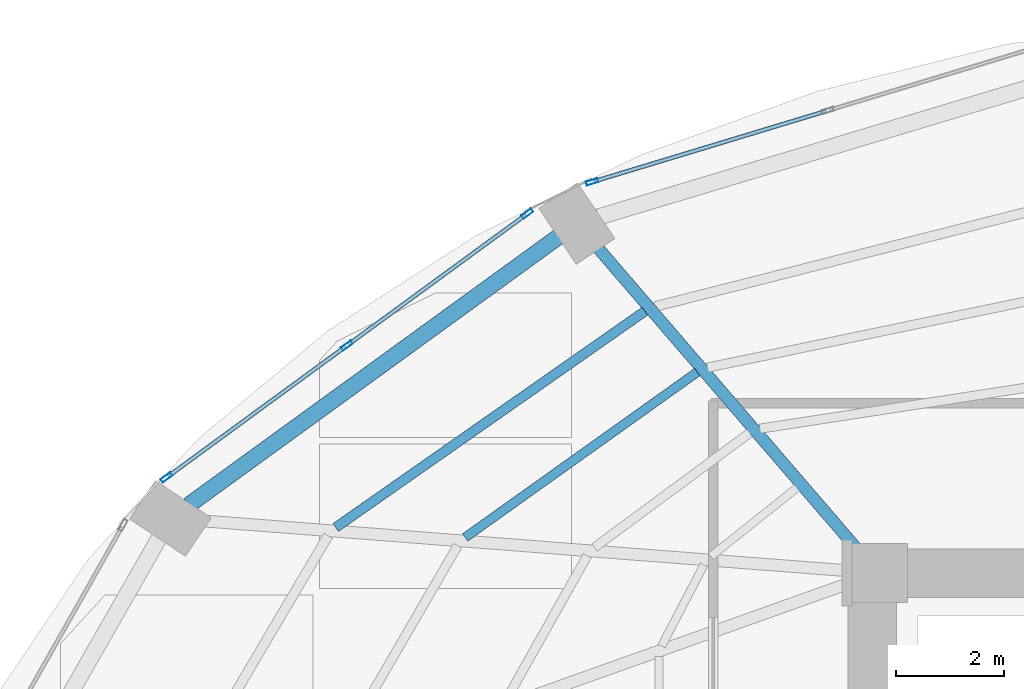
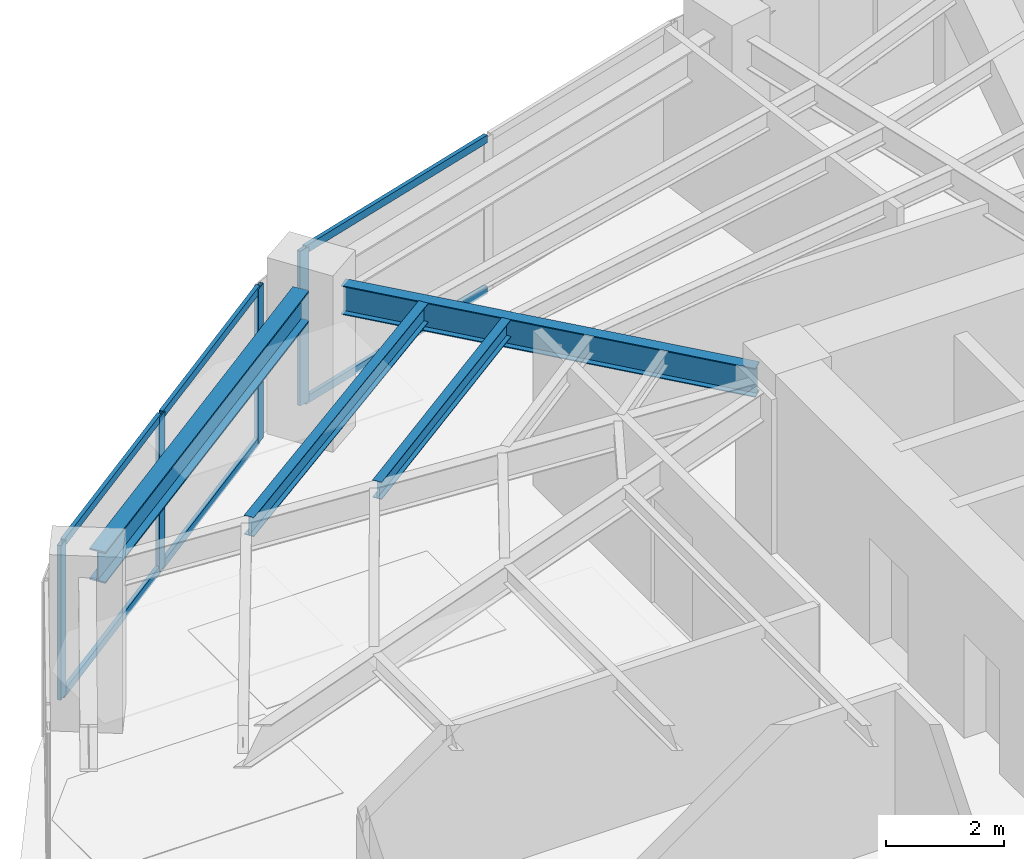
# One storey, part 13 of 24: 10 members, 4 beams, 2 elements without a shape of their own.
"""IFC4 building model written with IfcOpenShell, lengths in metres."""

from ifc_helpers import new_model, si_unit, direction, frame, origin, origin_2d, place, context, subcontext, project, spatial, hollow_rectangle, i_section, extrude, material, layer, layer_set, material_profile, profile_set, type_object, element, aggregate, save


model = new_model("IFC4")

# Units and contexts
model_context = context("Model", 3, precision=1e-05, world=origin(), true_north=direction((0.0, 1.0)))
body_context = subcontext(model_context, "Body", "Model", "MODEL_VIEW")
ifc_project = project(units=[si_unit("LENGTHUNIT", "METRE"), si_unit("AREAUNIT", "SQUARE_METRE"), si_unit("VOLUMEUNIT", "CUBIC_METRE"), si_unit("PLANEANGLEUNIT", "RADIAN"), si_unit("MASSUNIT", "GRAM", prefix="KILO")], contexts=[model_context])

# Site, building, storey
site_placement = place(None, origin())
site = spatial("IfcSite", under=ifc_project, at=site_placement, CompositionType="ELEMENT")
building_placement = place(site_placement, origin())
building = spatial("IfcBuilding", under=site, at=building_placement, Name="Lazwardi Medical Tower", CompositionType="ELEMENT")
storey_placement = place(building_placement, frame((0.0, 0.0, 72.6240234375)))
storey = spatial("IfcBuildingStorey", under=building, at=storey_placement, Name="L18", CompositionType="ELEMENT", Elevation=72.6240234375)

# Beams
ifc_material_1 = material(Name="Steel S355", Category="steel")
ifc_material_profile_1 = material_profile(ifc_material_1, i_section(OverallWidth=0.300048828125, OverallDepth=0.64990234375, WebThickness=0.01611328125, FlangeThickness=0.031005859375, at=origin_2d()), Name="HEB 650")
ifc_profile_set_1 = profile_set([ifc_material_profile_1], Name="Steel S355")
beam_type_1 = type_object("IfcBeamType", Name="BM-RB-Z1", PredefinedType="BEAM", material=ifc_profile_set_1)
beam_1_placement = place(storey_placement, frame((20.47900390625, 41.83740234375, 2.873046875), z_axis=(-0.80939338516, -0.5872668457, 0.0), x_axis=(0.5872668457, -0.80939338516, 0.0)))
element("IfcBeam", 1, at=beam_1_placement, inside=storey, type_object=beam_type_1, Name="Ring beam RB-02 B10 L18", PredefinedType="BEAM", context=body_context, shape_type="SweptSolid", body=[
    extrude(i_section(OverallWidth=0.300048828125, OverallDepth=0.64990234375, WebThickness=0.01611328125, FlangeThickness=0.031005859375, at=origin_2d()), origin(), (0.0, 0.0, 1.0), 8.47412109375),
])
ifc_material_profile_2 = material_profile(ifc_material_1, i_section(OverallWidth=0.219970703125, OverallDepth=0.60009765625, WebThickness=0.011962890625, FlangeThickness=0.01904296875, at=origin_2d()), Name="IPE 600")
ifc_profile_set_2 = profile_set([ifc_material_profile_2], Name="Steel S355")
beam_type_2 = type_object("IfcBeamType", Name="BM-RG-W1", PredefinedType="BEAM", material=ifc_profile_set_2)
beam_2_placement = place(storey_placement, frame((21.197509765625, 41.644287109375, 2.89794921875), z_axis=(0.652368190463, -0.757902199543, 0.0), x_axis=(0.757902199543, 0.652368190463, 0.0)))
element("IfcBeam", 2, at=beam_2_placement, inside=storey, type_object=beam_type_2, Name="Radial girder RG-02 R10 L18", PredefinedType="BEAM", context=body_context, shape_type="SweptSolid", body=[
    extrude(i_section(OverallWidth=0.219970703125, OverallDepth=0.60009765625, WebThickness=0.011962890625, FlangeThickness=0.01904296875, at=origin_2d()), origin(), (0.0, 0.0, 1.0), 7.43994140625),
])
ifc_material_profile_3 = material_profile(ifc_material_1, i_section(OverallWidth=0.179931640625, OverallDepth=0.39990234375, WebThickness=0.008544921875, FlangeThickness=0.013427734375, at=origin_2d()), Name="IPE 400")
ifc_profile_set_3 = profile_set([ifc_material_profile_3], Name="Steel S355")
beam_type_3 = type_object("IfcBeamType", Name="BM-SJ-01", PredefinedType="JOIST", material=ifc_profile_set_3)
beam_3_placement = place(storey_placement, frame((22.08203125, 40.456298828125, 2.998046875), z_axis=(-0.81942522483, -0.573186096231, 0.0), x_axis=(0.573186096231, -0.81942522483, 0.0)))
element("IfcBeam", 3, at=beam_3_placement, inside=storey, type_object=beam_type_3, Name="Secondary joist SJ-01 R1 B10 L18", PredefinedType="JOIST", context=body_context, shape_type="SweptSolid", body=[
    extrude(i_section(OverallWidth=0.179931640625, OverallDepth=0.39990234375, WebThickness=0.008544921875, FlangeThickness=0.013427734375, at=origin_2d()), origin(), (0.0, 0.0, 1.0), 6.999755859375),
])
ifc_material_profile_4 = material_profile(ifc_material_1, i_section(OverallWidth=0.169921875, OverallDepth=0.360107421875, WebThickness=0.008056640625, FlangeThickness=0.0126953125, at=origin_2d()), Name="IPE 360")
ifc_profile_set_4 = profile_set([ifc_material_profile_4], Name="Steel S355")
beam_type_4 = type_object("IfcBeamType", Name="BM-SJ-02", PredefinedType="JOIST", material=ifc_profile_set_4)
beam_4_placement = place(storey_placement, frame((23.05322265625, 39.327880859375, 3.01806640625), z_axis=(-0.814341377136, -0.580386183058, 0.0), x_axis=(0.580386183058, -0.814341377136, 0.0)))
element("IfcBeam", 4, at=beam_4_placement, inside=storey, type_object=beam_type_4, Name="Secondary joist SJ-02 R2 B10 L18", PredefinedType="JOIST", context=body_context, shape_type="SweptSolid", body=[
    extrude(i_section(OverallWidth=0.169921875, OverallDepth=0.360107421875, WebThickness=0.008056640625, FlangeThickness=0.0126953125, at=origin_2d()), origin(), (0.0, 0.0, 1.0), 5.28759765625),
])

# Curtain wall, member
ifc_material_2 = material(Name="Anodised bronze aluminium and solar control glazing", Category="aluminium")
ifc_layer = layer(ifc_material_2, 0.199951171875)
ifc_layer_set = layer_set([ifc_layer], Name="Anodised bronze aluminium and solar control glazing")
curtain_wall_type = type_object("IfcCurtainWallType", Name="CW-SYS-02", PredefinedType="NOTDEFINED", material=ifc_layer_set)
curtain_wall_1_placement = place(storey_placement, origin())
curtain_wall_1 = element("IfcCurtainWall", 5, at=curtain_wall_1_placement, inside=storey, type_object=curtain_wall_type, Name="L18 Unitised bronze curtain wall CW-02", PredefinedType="NOTDEFINED")
ifc_material_3 = material(Name="Anodised bronze aluminium", Category="aluminium")
ifc_material_profile_5 = material_profile(ifc_material_3, hollow_rectangle(XDim=0.074951171875, YDim=0.219970703125, WallThickness=0.00390625, at=origin_2d()), Name="ALU-MULLION 220x75x4")
ifc_profile_set_5 = profile_set([ifc_material_profile_5], Name="Anodised bronze aluminium")
member_type_1 = type_object("IfcMemberType", Name="CW-MUL-01", PredefinedType="MULLION", material=ifc_profile_set_5)
member_1_placement = place(storey_placement, frame((21.1015625, 42.853271484375, 0.0), z_axis=(0.0, 0.0, 1.0), x_axis=(0.2898956909, -0.957058247129, 0.0)))
member_1 = element("IfcMember", 6, at=member_1_placement, type_object=member_type_1, Name="CW-02 mullion 3", PredefinedType="MULLION", context=body_context, shape_type="SweptSolid", body=[
    extrude(hollow_rectangle(XDim=0.074951171875, YDim=0.219970703125, WallThickness=0.00390625, at=origin_2d()), origin(), (0.0, 0.0, 1.0), 3.197998046875),
])

# Curtain wall, members
curtain_wall_2_placement = place(storey_placement, origin())
curtain_wall_2 = element("IfcCurtainWall", 7, at=curtain_wall_2_placement, inside=storey, type_object=curtain_wall_type, Name="L18 Unitised bronze curtain wall CW-02", PredefinedType="NOTDEFINED")
member_2_placement = place(storey_placement, frame((19.9013671875, 42.26611328125, 0.0), z_axis=(0.0, 0.0, 1.0), x_axis=(0.590289307341, -0.807191757663, 0.0)))
member_2 = element("IfcMember", 8, at=member_2_placement, type_object=member_type_1, Name="CW-02 mullion 1", PredefinedType="MULLION", context=body_context, shape_type="SweptSolid", body=[
    extrude(hollow_rectangle(XDim=0.074951171875, YDim=0.219970703125, WallThickness=0.00390625, at=origin_2d()), origin(), (0.0, 0.0, 1.0), 3.197998046875),
])
member_3_placement = place(storey_placement, frame((16.5556640625, 39.8193359375, 0.0), z_axis=(0.0, 0.0, 1.0), x_axis=(0.590289307341, -0.807191757663, 0.0)))
member_3 = element("IfcMember", 9, at=member_3_placement, type_object=member_type_1, Name="CW-02 mullion 2", PredefinedType="MULLION", context=body_context, shape_type="SweptSolid", body=[
    extrude(hollow_rectangle(XDim=0.074951171875, YDim=0.219970703125, WallThickness=0.00390625, at=origin_2d()), origin(), (0.0, 0.0, 1.0), 3.197998046875),
])
member_4_placement = place(storey_placement, frame((13.209716796875, 37.37255859375, 0.0), z_axis=(0.0, 0.0, 1.0), x_axis=(0.590289307341, -0.807191757663, 0.0)))
member_4 = element("IfcMember", 10, at=member_4_placement, type_object=member_type_1, Name="CW-02 mullion 3", PredefinedType="MULLION", context=body_context, shape_type="SweptSolid", body=[
    extrude(hollow_rectangle(XDim=0.074951171875, YDim=0.219970703125, WallThickness=0.00390625, at=origin_2d()), origin(), (0.0, 0.0, 1.0), 3.197998046875),
])

# Member
ifc_material_profile_6 = material_profile(ifc_material_3, hollow_rectangle(XDim=0.074951171875, YDim=0.159912109375, WallThickness=0.00390625, at=origin_2d()), Name="ALU-TRANSOM 160x75x4")
ifc_profile_set_6 = profile_set([ifc_material_profile_6], Name="Anodised bronze aluminium")
member_type_2 = type_object("IfcMemberType", Name="CW-TRN-01", PredefinedType="USERDEFINED", material=ifc_profile_set_6)
member_5_placement = place(storey_placement, frame((25.44091796875, 44.16748046875, 0.03759765625), z_axis=(-0.957062297904, -0.289882317383, 0.0), x_axis=(0.289882317383, -0.957062297904, 0.0)))
member_5 = element("IfcMember", 11, at=member_5_placement, type_object=member_type_2, Name="CW-02 transom 2.1", ObjectType="TRANSOM", PredefinedType="USERDEFINED", context=body_context, shape_type="SweptSolid", body=[
    extrude(hollow_rectangle(XDim=0.074951171875, YDim=0.159912109375, WallThickness=0.00390625, at=origin_2d()), origin(), (0.0, 0.0, 1.0), 4.49658203125),
])

member_6_placement = place(storey_placement, frame((25.44091796875, 44.16748046875, 3.160400390625), z_axis=(-0.957062297904, -0.289882317383, 0.0), x_axis=(0.289882317383, -0.957062297904, 0.0)))
member_6 = element("IfcMember", 12, at=member_6_placement, type_object=member_type_2, Name="CW-02 transom 2.2", ObjectType="TRANSOM", PredefinedType="USERDEFINED", context=body_context, shape_type="SweptSolid", body=[
    extrude(hollow_rectangle(XDim=0.074951171875, YDim=0.159912109375, WallThickness=0.00390625, at=origin_2d()), origin(), (0.0, 0.0, 1.0), 4.49658203125),
])

aggregate(curtain_wall_1, [member_1, member_5, member_6])

member_7_placement = place(storey_placement, frame((19.87109375, 42.243896484375, 0.03759765625), z_axis=(-0.807197636578, -0.590281268128, 0.0), x_axis=(0.590281268128, -0.807197636578, 0.0)))
member_7 = element("IfcMember", 13, at=member_7_placement, type_object=member_type_2, Name="CW-02 transom 1.1", ObjectType="TRANSOM", PredefinedType="USERDEFINED", context=body_context, shape_type="SweptSolid", body=[
    extrude(hollow_rectangle(XDim=0.074951171875, YDim=0.159912109375, WallThickness=0.00390625, at=origin_2d()), origin(), (0.0, 0.0, 1.0), 4.06982421875),
])

member_8_placement = place(storey_placement, frame((19.87109375, 42.243896484375, 3.160400390625), z_axis=(-0.807197636578, -0.590281268128, 0.0), x_axis=(0.590281268128, -0.807197636578, 0.0)))
member_8 = element("IfcMember", 14, at=member_8_placement, type_object=member_type_2, Name="CW-02 transom 1.2", ObjectType="TRANSOM", PredefinedType="USERDEFINED", context=body_context, shape_type="SweptSolid", body=[
    extrude(hollow_rectangle(XDim=0.074951171875, YDim=0.159912109375, WallThickness=0.00390625, at=origin_2d()), origin(), (0.0, 0.0, 1.0), 4.06982421875),
])

member_9_placement = place(storey_placement, frame((16.525390625, 39.797119140625, 0.03759765625), z_axis=(-0.807218536774, -0.590252686472, 0.0), x_axis=(0.590252686472, -0.807218536774, 0.0)))
member_9 = element("IfcMember", 15, at=member_9_placement, type_object=member_type_2, Name="CW-02 transom 2.1", ObjectType="TRANSOM", PredefinedType="USERDEFINED", context=body_context, shape_type="SweptSolid", body=[
    extrude(hollow_rectangle(XDim=0.074951171875, YDim=0.159912109375, WallThickness=0.00390625, at=origin_2d()), origin(), (0.0, 0.0, 1.0), 4.070068359375),
])

member_10_placement = place(storey_placement, frame((16.525390625, 39.797119140625, 3.160400390625), z_axis=(-0.807218536774, -0.590252686472, 0.0), x_axis=(0.590252686472, -0.807218536774, 0.0)))
member_10 = element("IfcMember", 16, at=member_10_placement, type_object=member_type_2, Name="CW-02 transom 2.2", ObjectType="TRANSOM", PredefinedType="USERDEFINED", context=body_context, shape_type="SweptSolid", body=[
    extrude(hollow_rectangle(XDim=0.074951171875, YDim=0.159912109375, WallThickness=0.00390625, at=origin_2d()), origin(), (0.0, 0.0, 1.0), 4.070068359375),
])

aggregate(curtain_wall_2, [member_2, member_3, member_4, member_7, member_8, member_9, member_10])

save(model, "model.ifc")
